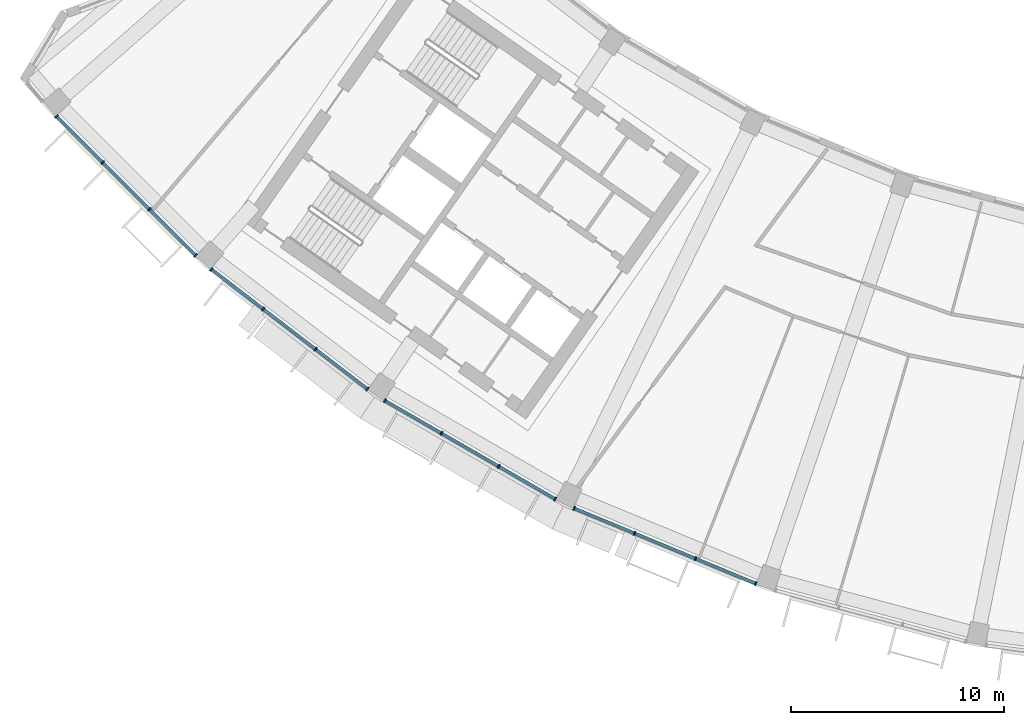
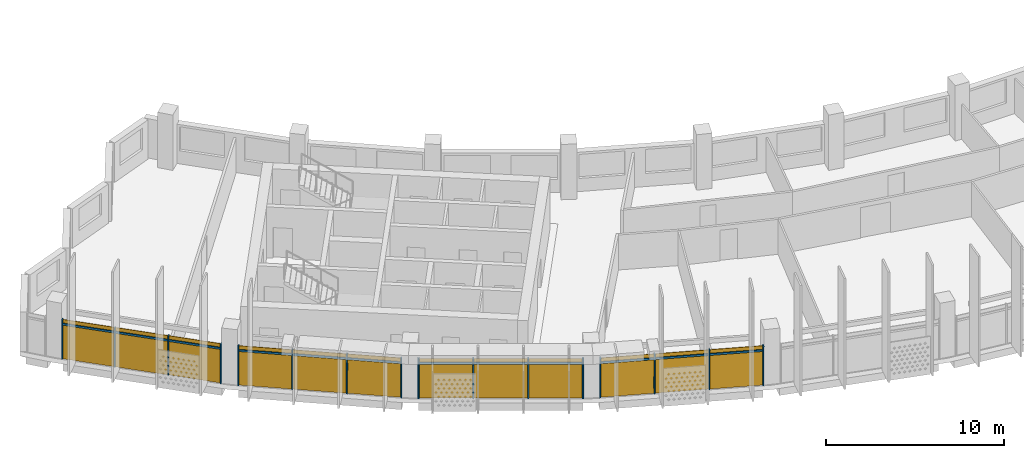
# One storey, part 17 of 28: 28 members, 4 curtain walls.
"""IFC4 building model written with IfcOpenShell, lengths in metres."""

from ifc_helpers import new_model, si_unit, direction, frame, origin, origin_2d, place, context, subcontext, project, spatial, rectangle, extrude, material, material_profile, profile_set, type_object, element, aggregate, save


model = new_model("IFC4")

# Units and contexts
model_context = context("Model", 3, precision=1e-05, world=origin(), true_north=direction((0.0, 1.0)))
body_context = subcontext(model_context, "Body", "Model", "MODEL_VIEW")
ifc_project = project(units=[si_unit("LENGTHUNIT", "METRE"), si_unit("AREAUNIT", "SQUARE_METRE"), si_unit("VOLUMEUNIT", "CUBIC_METRE"), si_unit("PLANEANGLEUNIT", "RADIAN"), si_unit("MASSUNIT", "GRAM", prefix="KILO")], contexts=[model_context])

# Member
ifc_material = material(Name="Aluminium 6063-T6 anodised", Category="aluminium")
ifc_material_profile_1 = material_profile(ifc_material, rectangle(XDim=0.199951171875, YDim=0.070068359375, at=origin_2d()))
ifc_profile_set_1 = profile_set([ifc_material_profile_1], Name="Aluminium 6063-T6 anodised")
member_type_1 = type_object("IfcMemberType", Name="Mullion 70 x 200 aluminium", PredefinedType="MULLION", material=ifc_profile_set_1)
site_placement = place(None, origin())
building_placement = place(site_placement, origin())
storey_placement = place(building_placement, frame((0.0, 0.0, 265.699951171875)))
member_1_placement = place(storey_placement, frame((-58.482421875, -51.942626953125, 0.0), z_axis=(0.0, 0.0, 1.0), x_axis=(0.707106781187, 0.707106781187, 0.0)))
member_1 = element("IfcMember", 1, at=member_1_placement, type_object=member_type_1, Name="e-cw1-L64-out01/M00", PredefinedType="MULLION", context=body_context, shape_type="SweptSolid", body=[
    extrude(rectangle(XDim=0.199951171875, YDim=0.070068359375, at=origin_2d()), origin(), (0.0, 0.0, 1.0), 2.699951171875),
])

member_2_placement = place(storey_placement, frame((-56.310791015625, -54.1142578125, 0.0), z_axis=(0.0, 0.0, 1.0), x_axis=(0.707106781187, 0.707106781187, 0.0)))
member_2 = element("IfcMember", 2, at=member_2_placement, type_object=member_type_1, Name="e-cw1-L64-out01/M01", PredefinedType="MULLION", context=body_context, shape_type="SweptSolid", body=[
    extrude(rectangle(XDim=0.199951171875, YDim=0.070068359375, at=origin_2d()), origin(), (0.0, 0.0, 1.0), 2.699951171875),
])

member_3_placement = place(storey_placement, frame((-54.1142578125, -56.310791015625, 0.0), z_axis=(0.0, 0.0, 1.0), x_axis=(0.707106781187, 0.707106781187, 0.0)))
member_3 = element("IfcMember", 3, at=member_3_placement, type_object=member_type_1, Name="e-cw1-L64-out01/M02", PredefinedType="MULLION", context=body_context, shape_type="SweptSolid", body=[
    extrude(rectangle(XDim=0.199951171875, YDim=0.070068359375, at=origin_2d()), origin(), (0.0, 0.0, 1.0), 2.699951171875),
])

member_4_placement = place(storey_placement, frame((-51.942626953125, -58.482421875, 0.0), z_axis=(0.0, 0.0, 1.0), x_axis=(0.707106781187, 0.707106781187, 0.0)))
member_4 = element("IfcMember", 4, at=member_4_placement, type_object=member_type_1, Name="e-cw1-L64-out01/M03", PredefinedType="MULLION", context=body_context, shape_type="SweptSolid", body=[
    extrude(rectangle(XDim=0.199951171875, YDim=0.070068359375, at=origin_2d()), origin(), (0.0, 0.0, 1.0), 2.699951171875),
])

member_5_placement = place(storey_placement, frame((-51.2021484375, -59.131591796875, 0.0), z_axis=(0.0, 0.0, 1.0), x_axis=(0.608761429009, 0.793353340291, 0.0)))
member_5 = element("IfcMember", 5, at=member_5_placement, type_object=member_type_1, Name="e-cw1-L64-out02/M00", PredefinedType="MULLION", context=body_context, shape_type="SweptSolid", body=[
    extrude(rectangle(XDim=0.199951171875, YDim=0.070068359375, at=origin_2d()), origin(), (0.0, 0.0, 1.0), 2.699951171875),
])

member_6_placement = place(storey_placement, frame((-48.765625, -61.001220703125, 0.0), z_axis=(0.0, 0.0, 1.0), x_axis=(0.608761429009, 0.793353340291, 0.0)))
member_6 = element("IfcMember", 6, at=member_6_placement, type_object=member_type_1, Name="e-cw1-L64-out02/M01", PredefinedType="MULLION", context=body_context, shape_type="SweptSolid", body=[
    extrude(rectangle(XDim=0.199951171875, YDim=0.070068359375, at=origin_2d()), origin(), (0.0, 0.0, 1.0), 2.699951171875),
])

member_7_placement = place(storey_placement, frame((-46.30126953125, -62.892333984375, 0.0), z_axis=(0.0, 0.0, 1.0), x_axis=(0.608761429009, 0.793353340291, 0.0)))
member_7 = element("IfcMember", 7, at=member_7_placement, type_object=member_type_1, Name="e-cw1-L64-out02/M02", PredefinedType="MULLION", context=body_context, shape_type="SweptSolid", body=[
    extrude(rectangle(XDim=0.199951171875, YDim=0.070068359375, at=origin_2d()), origin(), (0.0, 0.0, 1.0), 2.699951171875),
])

member_8_placement = place(storey_placement, frame((-43.86474609375, -64.761962890625, 0.0), z_axis=(0.0, 0.0, 1.0), x_axis=(0.608761429009, 0.793353340291, 0.0)))
member_8 = element("IfcMember", 8, at=member_8_placement, type_object=member_type_1, Name="e-cw1-L64-out02/M03", PredefinedType="MULLION", context=body_context, shape_type="SweptSolid", body=[
    extrude(rectangle(XDim=0.199951171875, YDim=0.070068359375, at=origin_2d()), origin(), (0.0, 0.0, 1.0), 2.699951171875),
])

member_9_placement = place(storey_placement, frame((-43.0458984375, -65.30908203125, 0.0), z_axis=(0.0, 0.0, 1.0), x_axis=(0.5, 0.866025403784, 0.0)))
member_9 = element("IfcMember", 9, at=member_9_placement, type_object=member_type_1, Name="e-cw1-L64-out03/M00", PredefinedType="MULLION", context=body_context, shape_type="SweptSolid", body=[
    extrude(rectangle(XDim=0.199951171875, YDim=0.070068359375, at=origin_2d()), origin(), (0.0, 0.0, 1.0), 2.699951171875),
])

member_10_placement = place(storey_placement, frame((-40.38623046875, -66.8447265625, 0.0), z_axis=(0.0, 0.0, 1.0), x_axis=(0.5, 0.866025403784, 0.0)))
member_10 = element("IfcMember", 10, at=member_10_placement, type_object=member_type_1, Name="e-cw1-L64-out03/M01", PredefinedType="MULLION", context=body_context, shape_type="SweptSolid", body=[
    extrude(rectangle(XDim=0.199951171875, YDim=0.070068359375, at=origin_2d()), origin(), (0.0, 0.0, 1.0), 2.699951171875),
])

member_11_placement = place(storey_placement, frame((-37.696044921875, -68.397705078125, 0.0), z_axis=(0.0, 0.0, 1.0), x_axis=(0.5, 0.866025403784, 0.0)))
member_11 = element("IfcMember", 11, at=member_11_placement, type_object=member_type_1, Name="e-cw1-L64-out03/M02", PredefinedType="MULLION", context=body_context, shape_type="SweptSolid", body=[
    extrude(rectangle(XDim=0.199951171875, YDim=0.070068359375, at=origin_2d()), origin(), (0.0, 0.0, 1.0), 2.699951171875),
])

member_12_placement = place(storey_placement, frame((-35.036376953125, -69.933349609375, 0.0), z_axis=(0.0, 0.0, 1.0), x_axis=(0.5, 0.866025403784, 0.0)))
member_12 = element("IfcMember", 12, at=member_12_placement, type_object=member_type_1, Name="e-cw1-L64-out03/M03", PredefinedType="MULLION", context=body_context, shape_type="SweptSolid", body=[
    extrude(rectangle(XDim=0.199951171875, YDim=0.070068359375, at=origin_2d()), origin(), (0.0, 0.0, 1.0), 2.699951171875),
])

member_13_placement = place(storey_placement, frame((-34.153076171875, -70.368896484375, 0.0), z_axis=(0.0, 0.0, 1.0), x_axis=(0.382683432365, 0.923879532511, 0.0)))
member_13 = element("IfcMember", 13, at=member_13_placement, type_object=member_type_1, Name="e-cw1-L64-out04/M00", PredefinedType="MULLION", context=body_context, shape_type="SweptSolid", body=[
    extrude(rectangle(XDim=0.199951171875, YDim=0.070068359375, at=origin_2d()), origin(), (0.0, 0.0, 1.0), 2.699951171875),
])

member_14_placement = place(storey_placement, frame((-31.315673828125, -71.544189453125, 0.0), z_axis=(0.0, 0.0, 1.0), x_axis=(0.382683432365, 0.923879532511, 0.0)))
member_14 = element("IfcMember", 14, at=member_14_placement, type_object=member_type_1, Name="e-cw1-L64-out04/M01", PredefinedType="MULLION", context=body_context, shape_type="SweptSolid", body=[
    extrude(rectangle(XDim=0.199951171875, YDim=0.070068359375, at=origin_2d()), origin(), (0.0, 0.0, 1.0), 2.699951171875),
])

member_15_placement = place(storey_placement, frame((-28.44580078125, -72.73291015625, 0.0), z_axis=(0.0, 0.0, 1.0), x_axis=(0.382683432365, 0.923879532511, 0.0)))
member_15 = element("IfcMember", 15, at=member_15_placement, type_object=member_type_1, Name="e-cw1-L64-out04/M02", PredefinedType="MULLION", context=body_context, shape_type="SweptSolid", body=[
    extrude(rectangle(XDim=0.199951171875, YDim=0.070068359375, at=origin_2d()), origin(), (0.0, 0.0, 1.0), 2.699951171875),
])

member_16_placement = place(storey_placement, frame((-25.6083984375, -73.908203125, 0.0), z_axis=(0.0, 0.0, 1.0), x_axis=(0.382683432365, 0.923879532511, 0.0)))
member_16 = element("IfcMember", 16, at=member_16_placement, type_object=member_type_1, Name="e-cw1-L64-out04/M03", PredefinedType="MULLION", context=body_context, shape_type="SweptSolid", body=[
    extrude(rectangle(XDim=0.199951171875, YDim=0.070068359375, at=origin_2d()), origin(), (0.0, 0.0, 1.0), 2.699951171875),
])

ifc_material_profile_2 = material_profile(ifc_material, rectangle(XDim=0.139892578125, YDim=0.1201171875, at=origin_2d()))
ifc_profile_set_2 = profile_set([ifc_material_profile_2], Name="Aluminium 6063-T6 anodised")
member_type_2 = type_object("IfcMemberType", Name="Transom 120 x 140 aluminium", PredefinedType="USERDEFINED", material=ifc_profile_set_2)
member_17_placement = place(storey_placement, frame((-58.45751953125, -51.96728515625, 2.400146484375), z_axis=(0.707066106633, -0.707147453401, 0.0), x_axis=(0.707147453401, 0.707066106633, 0.0)))
member_17 = element("IfcMember", 17, at=member_17_placement, type_object=member_type_2, Name="e-cw1-L64-out01/T00", ObjectType="TRANSOM", PredefinedType="USERDEFINED", context=body_context, shape_type="SweptSolid", body=[
    extrude(rectangle(XDim=0.139892578125, YDim=0.1201171875, at=origin_2d()), origin(), (0.0, 0.0, 1.0), 3.001220703125),
])

member_18_placement = place(storey_placement, frame((-56.285888671875, -54.138916015625, 2.400146484375), z_axis=(0.707106781187, -0.707106781187, 0.0), x_axis=(0.707106781187, 0.707106781187, 0.0)))
member_18 = element("IfcMember", 18, at=member_18_placement, type_object=member_type_2, Name="e-cw1-L64-out01/T01", ObjectType="TRANSOM", PredefinedType="USERDEFINED", context=body_context, shape_type="SweptSolid", body=[
    extrude(rectangle(XDim=0.139892578125, YDim=0.1201171875, at=origin_2d()), origin(), (0.0, 0.0, 1.0), 3.036376953125),
])

member_19_placement = place(storey_placement, frame((-54.089599609375, -56.33544921875, 2.400146484375), z_axis=(0.707147453401, -0.707066106633, 0.0), x_axis=(0.707066106633, 0.707147453401, 0.0)))
member_19 = element("IfcMember", 19, at=member_19_placement, type_object=member_type_2, Name="e-cw1-L64-out01/T02", ObjectType="TRANSOM", PredefinedType="USERDEFINED", context=body_context, shape_type="SweptSolid", body=[
    extrude(rectangle(XDim=0.139892578125, YDim=0.1201171875, at=origin_2d()), origin(), (0.0, 0.0, 1.0), 3.001220703125),
])

member_20_placement = place(storey_placement, frame((-51.17431640625, -59.153076171875, 2.400146484375), z_axis=(0.793352271072, -0.60876282244, 0.0), x_axis=(0.60876282244, 0.793352271072, 0.0)))
member_20 = element("IfcMember", 20, at=member_20_placement, type_object=member_type_2, Name="e-cw1-L64-out02/T00", ObjectType="TRANSOM", PredefinedType="USERDEFINED", context=body_context, shape_type="SweptSolid", body=[
    extrude(rectangle(XDim=0.139892578125, YDim=0.1201171875, at=origin_2d()), origin(), (0.0, 0.0, 1.0), 3.0009765625),
])

member_21_placement = place(storey_placement, frame((-48.73779296875, -61.022705078125, 2.400146484375), z_axis=(0.79333190513, -0.608789362836, 0.0), x_axis=(0.608789362836, 0.79333190513, 0.0)))
member_21 = element("IfcMember", 21, at=member_21_placement, type_object=member_type_2, Name="e-cw1-L64-out02/T01", ObjectType="TRANSOM", PredefinedType="USERDEFINED", context=body_context, shape_type="SweptSolid", body=[
    extrude(rectangle(XDim=0.139892578125, YDim=0.1201171875, at=origin_2d()), origin(), (0.0, 0.0, 1.0), 3.0361328125),
])

member_22_placement = place(storey_placement, frame((-46.2734375, -62.91357421875, 2.400146484375), z_axis=(0.793312980955, -0.60881402271, 0.0), x_axis=(0.60881402271, 0.793312980955, 0.0)))
member_22 = element("IfcMember", 22, at=member_22_placement, type_object=member_type_2, Name="e-cw1-L64-out02/T02", ObjectType="TRANSOM", PredefinedType="USERDEFINED", context=body_context, shape_type="SweptSolid", body=[
    extrude(rectangle(XDim=0.139892578125, YDim=0.1201171875, at=origin_2d()), origin(), (0.0, 0.0, 1.0), 3.001220703125),
])

member_23_placement = place(storey_placement, frame((-43.015625, -65.32666015625, 2.400146484375), z_axis=(0.866041993159, -0.49997126526, 0.0), x_axis=(0.49997126526, 0.866041993159, 0.0)))
member_23 = element("IfcMember", 23, at=member_23_placement, type_object=member_type_2, Name="e-cw1-L64-out03/T00", ObjectType="TRANSOM", PredefinedType="USERDEFINED", context=body_context, shape_type="SweptSolid", body=[
    extrude(rectangle(XDim=0.139892578125, YDim=0.1201171875, at=origin_2d()), origin(), (0.0, 0.0, 1.0), 3.001220703125),
])

member_24_placement = place(storey_placement, frame((-40.35595703125, -66.862060546875, 2.400146484375), z_axis=(0.866012861315, -0.500021723565, 0.0), x_axis=(0.500021723565, 0.866012861315, 0.0)))
member_24 = element("IfcMember", 24, at=member_24_placement, type_object=member_type_2, Name="e-cw1-L64-out03/T01", ObjectType="TRANSOM", PredefinedType="USERDEFINED", context=body_context, shape_type="SweptSolid", body=[
    extrude(rectangle(XDim=0.139892578125, YDim=0.1201171875, at=origin_2d()), origin(), (0.0, 0.0, 1.0), 3.036376953125),
])

member_25_placement = place(storey_placement, frame((-37.665771484375, -68.415283203125, 2.400146484375), z_axis=(0.866041993159, -0.49997126526, 0.0), x_axis=(0.49997126526, 0.866041993159, 0.0)))
member_25 = element("IfcMember", 25, at=member_25_placement, type_object=member_type_2, Name="e-cw1-L64-out03/T02", ObjectType="TRANSOM", PredefinedType="USERDEFINED", context=body_context, shape_type="SweptSolid", body=[
    extrude(rectangle(XDim=0.139892578125, YDim=0.1201171875, at=origin_2d()), origin(), (0.0, 0.0, 1.0), 3.001220703125),
])

member_26_placement = place(storey_placement, frame((-34.120849609375, -70.38232421875, 2.400146484375), z_axis=(0.923897869521, -0.382639159907, 0.0), x_axis=(0.382639159907, 0.923897869521, 0.0)))
member_26 = element("IfcMember", 26, at=member_26_placement, type_object=member_type_2, Name="e-cw1-L64-out04/T00", ObjectType="TRANSOM", PredefinedType="USERDEFINED", context=body_context, shape_type="SweptSolid", body=[
    extrude(rectangle(XDim=0.139892578125, YDim=0.1201171875, at=origin_2d()), origin(), (0.0, 0.0, 1.0), 3.00146484375),
])

member_27_placement = place(storey_placement, frame((-31.283447265625, -71.5576171875, 2.400146484375), z_axis=(0.923888454036, -0.38266189319, 0.0), x_axis=(0.38266189319, 0.923888454036, 0.0)))
member_27 = element("IfcMember", 27, at=member_27_placement, type_object=member_type_2, Name="e-cw1-L64-out04/T01", ObjectType="TRANSOM", PredefinedType="USERDEFINED", context=body_context, shape_type="SweptSolid", body=[
    extrude(rectangle(XDim=0.139892578125, YDim=0.1201171875, at=origin_2d()), origin(), (0.0, 0.0, 1.0), 3.036376953125),
])

member_28_placement = place(storey_placement, frame((-28.41357421875, -72.746337890625, 2.400146484375), z_axis=(0.923885958475, -0.382667918347, 0.0), x_axis=(0.382667918347, 0.923885958475, 0.0)))
member_28 = element("IfcMember", 28, at=member_28_placement, type_object=member_type_2, Name="e-cw1-L64-out04/T02", ObjectType="TRANSOM", PredefinedType="USERDEFINED", context=body_context, shape_type="SweptSolid", body=[
    extrude(rectangle(XDim=0.139892578125, YDim=0.1201171875, at=origin_2d()), origin(), (0.0, 0.0, 1.0), 3.001220703125),
])

# Site, building, storey
site = spatial("IfcSite", under=ifc_project, at=site_placement, CompositionType="ELEMENT")
building = spatial("IfcBuilding", under=site, at=building_placement, Name="Qamariyya Broadcast Tower", CompositionType="ELEMENT")
storey = spatial("IfcBuildingStorey", under=building, at=storey_placement, Name="L64", CompositionType="ELEMENT", Elevation=265.699951171875)

# Curtain wall
curtain_wall_type = type_object("IfcCurtainWallType", Name="Unitised curtain wall, anodised aluminium", PredefinedType="NOTDEFINED", material=ifc_material)
curtain_wall_1_placement = place(storey_placement, origin())
curtain_wall_1 = element("IfcCurtainWall", 29, at=curtain_wall_1_placement, inside=storey, type_object=curtain_wall_type, Name="e-cw1-L64-out01", PredefinedType="NOTDEFINED", context=body_context, shape_type="SweptSolid", body=[
    extrude(rectangle(XDim=3.001220703125, YDim=0.031982421875, at=origin_2d()), frame((-57.396484375, -53.0283203125, 0.0), x_axis=(0.707106781187, -0.707106781187, 0.0)), (0.0, 0.0, 1.0), 2.340087890625),
    extrude(rectangle(XDim=3.001220703125, YDim=0.031982421875, at=origin_2d()), frame((-57.396484375, -53.0283203125, 2.4599609375), x_axis=(0.707106781187, -0.707106781187, 0.0)), (0.0, 0.0, 1.0), 0.239990234375),
    extrude(rectangle(XDim=3.0361328125, YDim=0.031982421875, at=origin_2d()), frame((-55.21240234375, -55.21240234375, 0.0), x_axis=(0.707106781187, -0.707106781187, 0.0)), (0.0, 0.0, 1.0), 2.340087890625),
    extrude(rectangle(XDim=3.0361328125, YDim=0.031982421875, at=origin_2d()), frame((-55.21240234375, -55.21240234375, 2.4599609375), x_axis=(0.707106781187, -0.707106781187, 0.0)), (0.0, 0.0, 1.0), 0.239990234375),
    extrude(rectangle(XDim=3.001220703125, YDim=0.031982421875, at=origin_2d()), frame((-53.0283203125, -57.396484375, 0.0), x_axis=(0.707106781187, -0.707106781187, 0.0)), (0.0, 0.0, 1.0), 2.340087890625),
    extrude(rectangle(XDim=3.001220703125, YDim=0.031982421875, at=origin_2d()), frame((-53.0283203125, -57.396484375, 2.4599609375), x_axis=(0.707106781187, -0.707106781187, 0.0)), (0.0, 0.0, 1.0), 0.239990234375),
])

aggregate(curtain_wall_1, [member_1, member_2, member_3, member_4, member_17, member_18, member_19])

curtain_wall_2_placement = place(storey_placement, origin())
curtain_wall_2 = element("IfcCurtainWall", 30, at=curtain_wall_2_placement, inside=storey, type_object=curtain_wall_type, Name="e-cw1-L64-out02", PredefinedType="NOTDEFINED", context=body_context, shape_type="SweptSolid", body=[
    extrude(rectangle(XDim=3.001220703125, YDim=0.031982421875, at=origin_2d()), frame((-49.98388671875, -60.06640625, 0.0), x_axis=(0.793355818396, -0.608758199466, 0.0)), (0.0, 0.0, 1.0), 2.340087890625),
    extrude(rectangle(XDim=3.001220703125, YDim=0.031982421875, at=origin_2d()), frame((-49.98388671875, -60.06640625, 2.4599609375), x_axis=(0.793355818396, -0.608758199466, 0.0)), (0.0, 0.0, 1.0), 0.239990234375),
    extrude(rectangle(XDim=3.0361328125, YDim=0.031982421875, at=origin_2d()), frame((-47.533447265625, -61.94677734375, 0.0), x_axis=(0.793355818396, -0.608758199466, 0.0)), (0.0, 0.0, 1.0), 2.340087890625),
    extrude(rectangle(XDim=3.0361328125, YDim=0.031982421875, at=origin_2d()), frame((-47.533447265625, -61.94677734375, 2.4599609375), x_axis=(0.793355818396, -0.608758199466, 0.0)), (0.0, 0.0, 1.0), 0.239990234375),
    extrude(rectangle(XDim=3.001220703125, YDim=0.031982421875, at=origin_2d()), frame((-45.0830078125, -63.8271484375, 0.0), x_axis=(0.793355818396, -0.608758199466, 0.0)), (0.0, 0.0, 1.0), 2.340087890625),
    extrude(rectangle(XDim=3.001220703125, YDim=0.031982421875, at=origin_2d()), frame((-45.0830078125, -63.8271484375, 2.4599609375), x_axis=(0.793355818396, -0.608758199466, 0.0)), (0.0, 0.0, 1.0), 0.239990234375),
])

aggregate(curtain_wall_2, [member_5, member_6, member_7, member_8, member_20, member_21, member_22])

curtain_wall_3_placement = place(storey_placement, origin())
curtain_wall_3 = element("IfcCurtainWall", 31, at=curtain_wall_3_placement, inside=storey, type_object=curtain_wall_type, Name="e-cw1-L64-out03", PredefinedType="NOTDEFINED", context=body_context, shape_type="SweptSolid", body=[
    extrude(rectangle(XDim=3.001220703125, YDim=0.031982421875, at=origin_2d()), frame((-41.716064453125, -66.076904296875, 0.0), x_axis=(0.866017611601, -0.500013496215, 0.0)), (0.0, 0.0, 1.0), 2.340087890625),
    extrude(rectangle(XDim=3.001220703125, YDim=0.031982421875, at=origin_2d()), frame((-41.716064453125, -66.076904296875, 2.4599609375), x_axis=(0.866017611601, -0.500013496215, 0.0)), (0.0, 0.0, 1.0), 0.239990234375),
    extrude(rectangle(XDim=3.0361328125, YDim=0.031982421875, at=origin_2d()), frame((-39.041015625, -67.62109375, 0.0), x_axis=(0.866017611601, -0.500013496215, 0.0)), (0.0, 0.0, 1.0), 2.340087890625),
    extrude(rectangle(XDim=3.0361328125, YDim=0.031982421875, at=origin_2d()), frame((-39.041015625, -67.62109375, 2.4599609375), x_axis=(0.866017611601, -0.500013496215, 0.0)), (0.0, 0.0, 1.0), 0.239990234375),
    extrude(rectangle(XDim=3.001220703125, YDim=0.031982421875, at=origin_2d()), frame((-36.3662109375, -69.16552734375, 0.0), x_axis=(0.866017611601, -0.500013496215, 0.0)), (0.0, 0.0, 1.0), 2.340087890625),
    extrude(rectangle(XDim=3.001220703125, YDim=0.031982421875, at=origin_2d()), frame((-36.3662109375, -69.16552734375, 2.4599609375), x_axis=(0.866017611601, -0.500013496215, 0.0)), (0.0, 0.0, 1.0), 0.239990234375),
])

aggregate(curtain_wall_3, [member_9, member_10, member_11, member_12, member_23, member_24, member_25])

curtain_wall_4_placement = place(storey_placement, origin())
curtain_wall_4 = element("IfcCurtainWall", 32, at=curtain_wall_4_placement, inside=storey, type_object=curtain_wall_type, Name="e-cw1-L64-out04", PredefinedType="NOTDEFINED", context=body_context, shape_type="SweptSolid", body=[
    extrude(rectangle(XDim=3.001220703125, YDim=0.031982421875, at=origin_2d()), frame((-32.734375, -70.95654296875, 0.0), x_axis=(0.923877930643, -0.382687299595, 0.0)), (0.0, 0.0, 1.0), 2.340087890625),
    extrude(rectangle(XDim=3.001220703125, YDim=0.031982421875, at=origin_2d()), frame((-32.734375, -70.95654296875, 2.4599609375), x_axis=(0.923877930643, -0.382687299595, 0.0)), (0.0, 0.0, 1.0), 0.239990234375),
    extrude(rectangle(XDim=3.0361328125, YDim=0.031982421875, at=origin_2d()), frame((-29.880859375, -72.138671875, 0.0), x_axis=(0.923877930643, -0.382687299595, 0.0)), (0.0, 0.0, 1.0), 2.340087890625),
    extrude(rectangle(XDim=3.0361328125, YDim=0.031982421875, at=origin_2d()), frame((-29.880859375, -72.138671875, 2.4599609375), x_axis=(0.923877930643, -0.382687299595, 0.0)), (0.0, 0.0, 1.0), 0.239990234375),
    extrude(rectangle(XDim=3.001220703125, YDim=0.031982421875, at=origin_2d()), frame((-27.02734375, -73.320556640625, 0.0), x_axis=(0.923877930643, -0.382687299595, 0.0)), (0.0, 0.0, 1.0), 2.340087890625),
    extrude(rectangle(XDim=3.001220703125, YDim=0.031982421875, at=origin_2d()), frame((-27.02734375, -73.320556640625, 2.4599609375), x_axis=(0.923877930643, -0.382687299595, 0.0)), (0.0, 0.0, 1.0), 0.239990234375),
])

aggregate(curtain_wall_4, [member_13, member_14, member_15, member_16, member_26, member_27, member_28])

save(model, "model.ifc")
